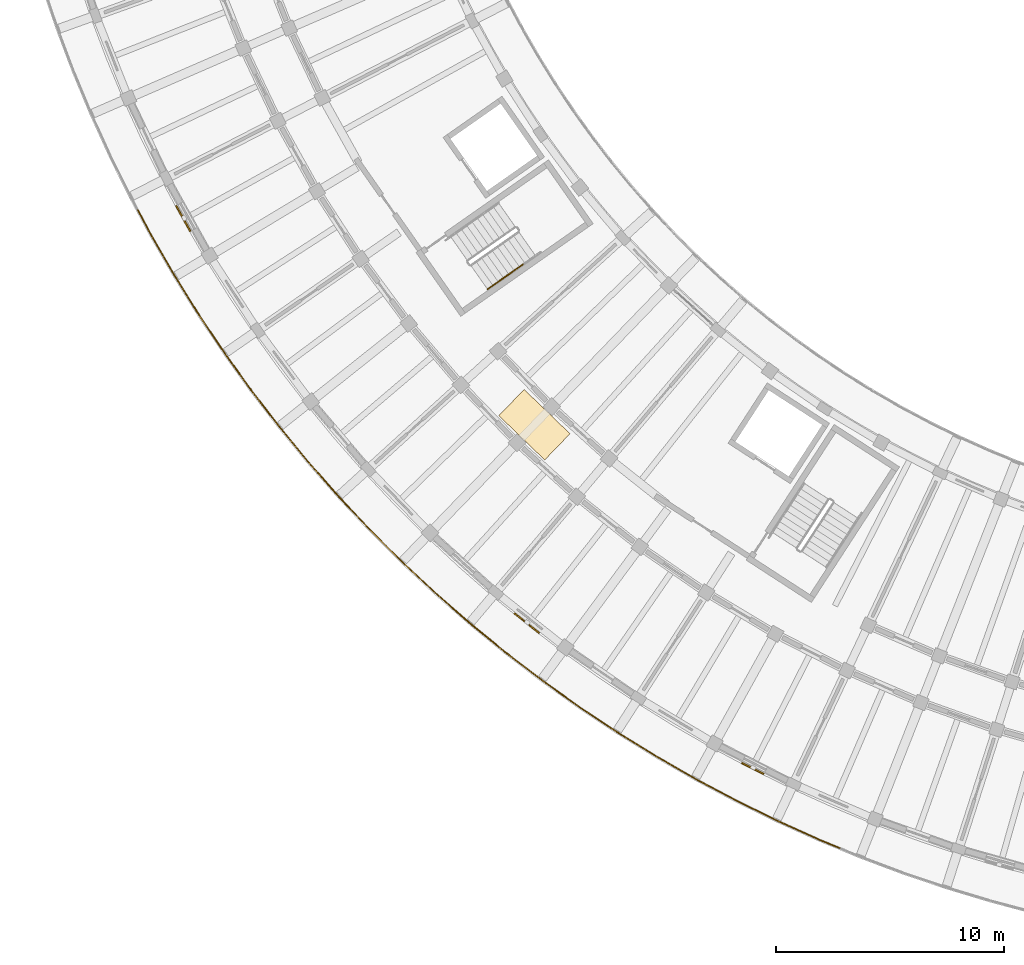
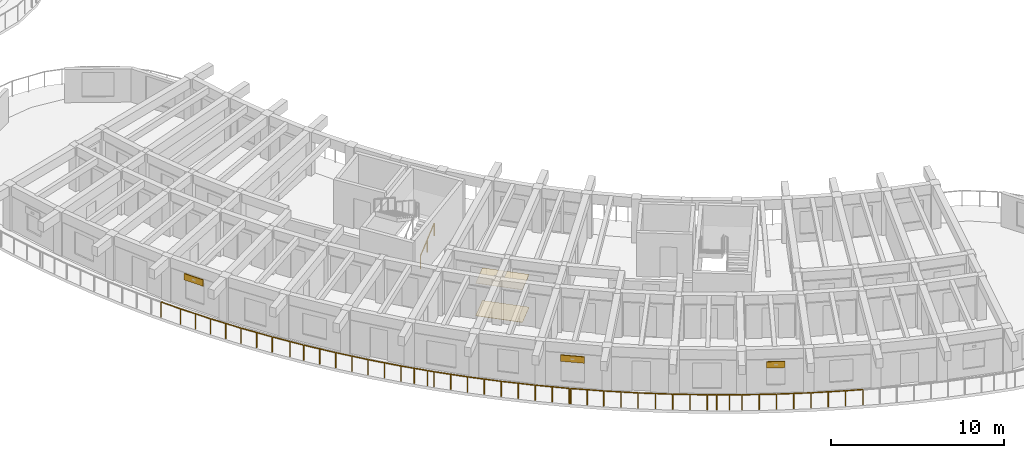
# One storey, part 52 of 69: 7 railings, 3 shading devices, 2 coverings.
"""IFC4 building model written with IfcOpenShell, lengths in metres."""

from ifc_helpers import new_model, si_unit, direction, frame, origin, origin_2d, place, context, subcontext, project, spatial, rectangle, circle, extrude, material, layer, layer_set, type_object, element, save


model = new_model("IFC4")

# Units and contexts
model_context = context("Model", 3, precision=1e-05, world=origin(), true_north=direction((0.0, 1.0)))
body_context = subcontext(model_context, "Body", "Model", "MODEL_VIEW")
ifc_project = project(units=[si_unit("LENGTHUNIT", "METRE"), si_unit("AREAUNIT", "SQUARE_METRE"), si_unit("VOLUMEUNIT", "CUBIC_METRE"), si_unit("PLANEANGLEUNIT", "RADIAN"), si_unit("MASSUNIT", "GRAM", prefix="KILO")], contexts=[model_context])

# Site, building, storey
site_placement = place(None, origin())
site = spatial("IfcSite", under=ifc_project, at=site_placement, CompositionType="ELEMENT")
building_placement = place(site_placement, origin())
building = spatial("IfcBuilding", under=site, at=building_placement, Name="Tanwirah Colonnade Gardens", CompositionType="ELEMENT")
storey_placement = place(building_placement, frame((0.0, 0.0, 15.56005859375)))
storey = spatial("IfcBuildingStorey", under=building, at=storey_placement, Name="L04", CompositionType="ELEMENT", Elevation=15.56005859375)

# Railings
ifc_material_1 = material(Name="Precast concrete C40/50", Category="concrete")
railing_type_1 = type_object("IfcRailingType", Name="BAL-EXT110", PredefinedType="BALUSTRADE", material=ifc_material_1)
railing_1_placement = place(storey_placement, frame((41.62255859375, 7.81982421875, 0.0)))
element("IfcRailing", 1, at=railing_1_placement, inside=storey, type_object=railing_type_1, Name="Block C L04 Balcony Ribbon Balustrade 11", PredefinedType="BALUSTRADE", context=body_context, shape_type="SweptSolid", body=[
    extrude(circle(Radius=0.02392578125, at=origin_2d()), frame((-0.02880859375, 0.011962890625, 1.076171875), z_axis=(-0.924279622952, 0.381716096851, 0.0), x_axis=(-0.381716096851, -0.924279622952, 0.0)), (0.0, 0.0, 1.0), 0.966552734375),
    extrude(circle(Radius=0.02392578125, at=origin_2d()), frame((-0.979736328125, 0.40576171875, 1.076171875), z_axis=(-0.911305810052, 0.411730155035, 0.0), x_axis=(-0.411730155035, -0.911305810052, 0.0)), (0.0, 0.0, 1.0), 1.944091796875),
    extrude(circle(Radius=0.02392578125, at=origin_2d()), frame((-2.807861328125, 1.23291015625, 1.076171875), z_axis=(-0.897352335885, 0.441314836916, 0.0), x_axis=(-0.441314836916, -0.897352335885, 0.0)), (0.0, 0.0, 1.0), 1.944091796875),
    extrude(circle(Radius=0.02392578125, at=origin_2d()), frame((-4.60791015625, 2.119140625, 1.076171875), z_axis=(-0.882416921514, 0.470468252516, 0.0), x_axis=(-0.470468252516, -0.882416921514, 0.0)), (0.0, 0.0, 1.0), 1.944091796875),
    extrude(circle(Radius=0.02392578125, at=origin_2d()), frame((-6.378173828125, 3.064208984375, 1.076171875), z_axis=(-0.866602615509, 0.498998904601, 0.0), x_axis=(-0.498998904601, -0.866602615509, 0.0)), (0.0, 0.0, 1.0), 1.388671875),
    extrude(circle(Radius=0.02099609375, at=origin_2d()), origin(), (0.0, 0.0, 1.0), 1.049072265625),
    extrude(circle(Radius=0.02099609375, at=origin_2d()), frame((-0.951171875, 0.392822265625, 0.0)), (0.0, 0.0, 1.0), 1.049072265625),
    extrude(circle(Radius=0.02099609375, at=origin_2d()), frame((-1.865478515625, 0.805908203125, 0.0)), (0.0, 0.0, 1.0), 1.049072265625),
    extrude(circle(Radius=0.02099609375, at=origin_2d()), frame((-2.77978515625, 1.218994140625, 0.0)), (0.0, 0.0, 1.0), 1.049072265625),
    extrude(circle(Radius=0.02099609375, at=origin_2d()), frame((-3.68017578125, 1.66162109375, 0.0)), (0.0, 0.0, 1.0), 1.049072265625),
    extrude(circle(Radius=0.02099609375, at=origin_2d()), frame((-4.580322265625, 2.1044921875, 0.0)), (0.0, 0.0, 1.0), 1.049072265625),
    extrude(circle(Radius=0.02099609375, at=origin_2d()), frame((-5.4658203125, 2.57666015625, 0.0)), (0.0, 0.0, 1.0), 1.049072265625),
    extrude(circle(Radius=0.02099609375, at=origin_2d()), frame((-6.35107421875, 3.048583984375, 0.0)), (0.0, 0.0, 1.0), 1.049072265625),
    extrude(circle(Radius=0.02099609375, at=origin_2d()), frame((-6.97998046875, 3.41064453125, 0.0)), (0.0, 0.0, 1.0), 1.049072265625),
    extrude(circle(Radius=0.02099609375, at=origin_2d()), frame((-7.608642578125, 3.772705078125, 0.0)), (0.0, 0.0, 1.0), 1.049072265625),
])
railing_2_placement = place(storey_placement, frame((34.013916015625, 11.592529296875, 0.0)))
element("IfcRailing", 2, at=railing_2_placement, inside=storey, type_object=railing_type_1, Name="Block C L04 Balcony Ribbon Balustrade 12", PredefinedType="BALUSTRADE", context=body_context, shape_type="SweptSolid", body=[
    extrude(circle(Radius=0.02392578125, at=origin_2d()), frame((-0.027099609375, 0.015625, 1.076171875), z_axis=(-0.866587887703, 0.49902448125, 0.0), x_axis=(-0.49902448125, -0.866587887703, 0.0)), (0.0, 0.0, 1.0), 0.49267578125),
    extrude(circle(Radius=0.02392578125, at=origin_2d()), frame((-0.5078125, 0.293701171875, 1.076171875), z_axis=(-0.84977735452, 0.527141771959, 0.0), x_axis=(-0.527141771959, -0.84977735452, 0.0)), (0.0, 0.0, 1.0), 1.9443359375),
    extrude(circle(Radius=0.02392578125, at=origin_2d()), frame((-2.212646484375, 1.352294921875, 1.076171875), z_axis=(-0.832069011603, 0.554672119301, 0.0), x_axis=(-0.554672119301, -0.832069011603, 0.0)), (0.0, 0.0, 1.0), 1.944091796875),
    extrude(circle(Radius=0.02392578125, at=origin_2d()), frame((-3.881591796875, 2.466064453125, 1.076171875), z_axis=(-0.813486769226, 0.581583421612, 0.0), x_axis=(-0.581583421612, -0.813486769226, 0.0)), (0.0, 0.0, 1.0), 1.944091796875),
    extrude(circle(Radius=0.02392578125, at=origin_2d()), frame((-5.513427734375, 3.634033203125, 1.076171875), z_axis=(-0.794008424843, 0.60790675377, 0.0), x_axis=(-0.60790675377, -0.794008424843, 0.0)), (0.0, 0.0, 1.0), 1.862060546875),
    extrude(circle(Radius=0.02099609375, at=origin_2d()), origin(), (0.0, 0.0, 1.0), 1.049072265625),
    extrude(circle(Radius=0.02099609375, at=origin_2d()), frame((-0.481201171875, 0.277099609375, 0.0)), (0.0, 0.0, 1.0), 1.049072265625),
    extrude(circle(Radius=0.02099609375, at=origin_2d()), frame((-1.333984375, 0.80615234375, 0.0)), (0.0, 0.0, 1.0), 1.049072265625),
    extrude(circle(Radius=0.02099609375, at=origin_2d()), frame((-2.1865234375, 1.3349609375, 0.0)), (0.0, 0.0, 1.0), 1.049072265625),
    extrude(circle(Radius=0.02099609375, at=origin_2d()), frame((-3.021484375, 1.8916015625, 0.0)), (0.0, 0.0, 1.0), 1.049072265625),
    extrude(circle(Radius=0.02099609375, at=origin_2d()), frame((-3.856201171875, 2.447998046875, 0.0)), (0.0, 0.0, 1.0), 1.049072265625),
    extrude(circle(Radius=0.02099609375, at=origin_2d()), frame((-4.67236328125, 3.031494140625, 0.0)), (0.0, 0.0, 1.0), 1.049072265625),
    extrude(circle(Radius=0.02099609375, at=origin_2d()), frame((-5.488525390625, 3.614990234375, 0.0)), (0.0, 0.0, 1.0), 1.049072265625),
    extrude(circle(Radius=0.02099609375, at=origin_2d()), frame((-6.25244140625, 4.199951171875, 0.0)), (0.0, 0.0, 1.0), 1.049072265625),
    extrude(circle(Radius=0.02099609375, at=origin_2d()), frame((-7.0166015625, 4.784912109375, 0.0)), (0.0, 0.0, 1.0), 1.049072265625),
])
railing_3_placement = place(storey_placement, frame((26.997314453125, 16.37744140625, 0.0)))
element("IfcRailing", 3, at=railing_3_placement, inside=storey, type_object=railing_type_1, Name="Block C L04 Balcony Ribbon Balustrade 13", PredefinedType="BALUSTRADE", context=body_context, shape_type="SweptSolid", body=[
    extrude(circle(Radius=0.02392578125, at=origin_2d()), frame((-0.02490234375, 0.01904296875, 1.076171875), z_axis=(-0.794611184815, 0.607118658061, 0.0), x_axis=(-0.607118658061, -0.794611184815, 0.0)), (0.0, 0.0, 1.0), 0.01953125),
    extrude(circle(Radius=0.02392578125, at=origin_2d()), frame((-0.08935546875, 0.069580078125, 1.076171875), z_axis=(-0.773707873236, 0.633542521771, 0.0), x_axis=(-0.633542521771, -0.773707873236, 0.0)), (0.0, 0.0, 1.0), 1.944091796875),
    extrude(circle(Radius=0.02392578125, at=origin_2d()), frame((-1.64111328125, 1.341552734375, 1.076171875), z_axis=(-0.752508858808, 0.658582126553, 0.0), x_axis=(-0.658582126553, -0.752508858808, 0.0)), (0.0, 0.0, 1.0), 1.944091796875),
    extrude(circle(Radius=0.02392578125, at=origin_2d()), frame((-3.150634765625, 2.663818359375, 1.076171875), z_axis=(-0.730610060212, 0.682794947196, 0.0), x_axis=(-0.682794947196, -0.730610060212, 0.0)), (0.0, 0.0, 1.0), 1.944091796875),
    extrude(circle(Radius=0.02392578125, at=origin_2d()), frame((-4.615966796875, 4.03466796875, 1.076171875), z_axis=(-0.707897217537, 0.706315460261, 0.0), x_axis=(-0.706315460261, -0.707897217537, 0.0)), (0.0, 0.0, 1.0), 1.944091796875),
    extrude(circle(Radius=0.02392578125, at=origin_2d()), frame((-6.03564453125, 5.45263671875, 1.076171875), z_axis=(-0.684314204169, 0.729187266738, 0.0), x_axis=(-0.729187266738, -0.684314204169, 0.0)), (0.0, 0.0, 1.0), 0.3291015625),
    extrude(circle(Radius=0.02099609375, at=origin_2d()), origin(), (0.0, 0.0, 1.0), 1.049072265625),
    extrude(circle(Radius=0.02099609375, at=origin_2d()), frame((-0.065185546875, 0.0498046875, 0.0)), (0.0, 0.0, 1.0), 1.049072265625),
    extrude(circle(Radius=0.02099609375, at=origin_2d()), frame((-0.84130859375, 0.685546875, 0.0)), (0.0, 0.0, 1.0), 1.049072265625),
    extrude(circle(Radius=0.02099609375, at=origin_2d()), frame((-1.61767578125, 1.321044921875, 0.0)), (0.0, 0.0, 1.0), 1.049072265625),
    extrude(circle(Radius=0.02099609375, at=origin_2d()), frame((-2.37255859375, 1.98193359375, 0.0)), (0.0, 0.0, 1.0), 1.049072265625),
    extrude(circle(Radius=0.02099609375, at=origin_2d()), frame((-3.127685546875, 2.642578125, 0.0)), (0.0, 0.0, 1.0), 1.049072265625),
    extrude(circle(Radius=0.02099609375, at=origin_2d()), frame((-3.86083984375, 3.32763671875, 0.0)), (0.0, 0.0, 1.0), 1.049072265625),
    extrude(circle(Radius=0.02099609375, at=origin_2d()), frame((-4.59375, 4.0126953125, 0.0)), (0.0, 0.0, 1.0), 1.049072265625),
    extrude(circle(Radius=0.02099609375, at=origin_2d()), frame((-5.303955078125, 4.72119140625, 0.0)), (0.0, 0.0, 1.0), 1.049072265625),
    extrude(circle(Radius=0.02099609375, at=origin_2d()), frame((-6.01416015625, 5.429931640625, 0.0)), (0.0, 0.0, 1.0), 1.049072265625),
    extrude(circle(Radius=0.02099609375, at=origin_2d()), frame((-6.2822265625, 5.715576171875, 0.0)), (0.0, 0.0, 1.0), 1.049072265625),
])
railing_4_placement = place(storey_placement, frame((20.715087890625, 22.093017578125, 0.0)))
element("IfcRailing", 4, at=railing_4_placement, inside=storey, type_object=railing_type_1, Name="Block C L04 Balcony Ribbon Balustrade 14", PredefinedType="BALUSTRADE", context=body_context, shape_type="SweptSolid", body=[
    extrude(circle(Radius=0.02392578125, at=origin_2d()), frame((-0.021484375, 0.022705078125, 1.076171875), z_axis=(-0.68437850788, 0.729126914845, 0.0), x_axis=(-0.729126914845, -0.68437850788, 0.0)), (0.0, 0.0, 1.0), 1.552490234375),
    extrude(circle(Radius=0.02392578125, at=origin_2d()), frame((-1.1259765625, 1.200927734375, 1.076171875), z_axis=(-0.660199900943, 0.751089935224, 0.0), x_axis=(-0.751089935224, -0.660199900943, 0.0)), (0.0, 0.0, 1.0), 1.944091796875),
    extrude(circle(Radius=0.02392578125, at=origin_2d()), frame((-2.44970703125, 2.708740234375, 1.076171875), z_axis=(-0.635216698846, 0.77233395983, 0.0), x_axis=(-0.77233395983, -0.635216698846, 0.0)), (0.0, 0.0, 1.0), 1.944091796875),
    extrude(circle(Radius=0.02392578125, at=origin_2d()), frame((-3.7236328125, 4.259033203125, 1.076171875), z_axis=(-0.609669601555, 0.7926556484, 0.0), x_axis=(-0.7926556484, -0.609669601555, 0.0)), (0.0, 0.0, 1.0), 1.944091796875),
    extrude(circle(Radius=0.02392578125, at=origin_2d()), frame((-4.9462890625, 5.850341796875, 1.076171875), z_axis=(-0.583211557047, 0.812320306115, 0.0), x_axis=(-0.812320306115, -0.583211557047, 0.0)), (0.0, 0.0, 1.0), 0.802734375),
    extrude(circle(Radius=0.02099609375, at=origin_2d()), origin(), (0.0, 0.0, 1.0), 1.049072265625),
    extrude(circle(Radius=0.02099609375, at=origin_2d()), frame((-0.552734375, 0.5888671875, 0.0)), (0.0, 0.0, 1.0), 1.049072265625),
    extrude(circle(Radius=0.02099609375, at=origin_2d()), frame((-1.105224609375, 1.177490234375, 0.0)), (0.0, 0.0, 1.0), 1.049072265625),
    extrude(circle(Radius=0.02099609375, at=origin_2d()), frame((-1.767578125, 1.93115234375, 0.0)), (0.0, 0.0, 1.0), 1.049072265625),
    extrude(circle(Radius=0.02099609375, at=origin_2d()), frame((-2.429931640625, 2.6845703125, 0.0)), (0.0, 0.0, 1.0), 1.049072265625),
    extrude(circle(Radius=0.02099609375, at=origin_2d()), frame((-3.0673828125, 3.45947265625, 0.0)), (0.0, 0.0, 1.0), 1.049072265625),
    extrude(circle(Radius=0.02099609375, at=origin_2d()), frame((-3.70458984375, 4.234375, 0.0)), (0.0, 0.0, 1.0), 1.049072265625),
    extrude(circle(Radius=0.02099609375, at=origin_2d()), frame((-4.31640625, 5.02978515625, 0.0)), (0.0, 0.0, 1.0), 1.049072265625),
    extrude(circle(Radius=0.02099609375, at=origin_2d()), frame((-4.927978515625, 5.824951171875, 0.0)), (0.0, 0.0, 1.0), 1.049072265625),
    extrude(circle(Radius=0.02099609375, at=origin_2d()), frame((-5.4326171875, 6.52783203125, 0.0)), (0.0, 0.0, 1.0), 1.049072265625),
])
railing_5_placement = place(storey_placement, frame((15.282470703125, 28.620849609375, 0.0)))
element("IfcRailing", 5, at=railing_5_placement, inside=storey, type_object=railing_type_1, Name="Block C L04 Balcony Ribbon Balustrade 15", PredefinedType="BALUSTRADE", context=body_context, shape_type="SweptSolid", body=[
    extrude(circle(Radius=0.02392578125, at=origin_2d()), frame((-0.018310546875, 0.025390625, 1.076171875), z_axis=(-0.583340691187, 0.812227577718, 0.0), x_axis=(-0.812227577718, -0.583340691187, 0.0)), (0.0, 0.0, 1.0), 1.078857421875),
    extrude(circle(Radius=0.02392578125, at=origin_2d()), frame((-0.68310546875, 0.952880859375, 1.076171875), z_axis=(-0.556495801451, 0.830850421537, 0.0), x_axis=(-0.830850421537, -0.556495801451, 0.0)), (0.0, 0.0, 1.0), 1.944091796875),
    extrude(circle(Radius=0.02392578125, at=origin_2d()), frame((-1.799072265625, 2.620849609375, 1.076171875), z_axis=(-0.529003375217, 0.848619719903, 0.0), x_axis=(-0.848619719903, -0.529003375217, 0.0)), (0.0, 0.0, 1.0), 1.944091796875),
    extrude(circle(Radius=0.02392578125, at=origin_2d()), frame((-2.859619140625, 4.32421875, 1.076171875), z_axis=(-0.500940340279, 0.865481816956, 0.0), x_axis=(-0.865481816956, -0.500940340279, 0.0)), (0.0, 0.0, 1.0), 1.94384765625),
    extrude(circle(Radius=0.02392578125, at=origin_2d()), frame((-3.86376953125, 6.061279296875, 1.076171875), z_axis=(-0.472413668616, 0.881376948703, 0.0), x_axis=(-0.881376948703, -0.472413668616, 0.0)), (0.0, 0.0, 1.0), 1.2763671875),
    extrude(circle(Radius=0.02099609375, at=origin_2d()), origin(), (0.0, 0.0, 1.0), 1.049072265625),
    extrude(circle(Radius=0.02099609375, at=origin_2d()), frame((-0.665771484375, 0.927001953125, 0.0)), (0.0, 0.0, 1.0), 1.049072265625),
    extrude(circle(Radius=0.02099609375, at=origin_2d()), frame((-1.22412109375, 1.7607421875, 0.0)), (0.0, 0.0, 1.0), 1.049072265625),
    extrude(circle(Radius=0.02099609375, at=origin_2d()), frame((-1.782470703125, 2.59423828125, 0.0)), (0.0, 0.0, 1.0), 1.049072265625),
    extrude(circle(Radius=0.02099609375, at=origin_2d()), frame((-2.313232421875, 3.44580078125, 0.0)), (0.0, 0.0, 1.0), 1.049072265625),
    extrude(circle(Radius=0.02099609375, at=origin_2d()), frame((-2.843994140625, 4.297119140625, 0.0)), (0.0, 0.0, 1.0), 1.049072265625),
    extrude(circle(Radius=0.02099609375, at=origin_2d()), frame((-3.3466796875, 5.16552734375, 0.0)), (0.0, 0.0, 1.0), 1.049072265625),
    extrude(circle(Radius=0.02099609375, at=origin_2d()), frame((-3.84912109375, 6.03369140625, 0.0)), (0.0, 0.0, 1.0), 1.049072265625),
    extrude(circle(Radius=0.02099609375, at=origin_2d()), frame((-4.481689453125, 7.2138671875, 0.0)), (0.0, 0.0, 1.0), 1.049072265625),
])

# Coverings
ifc_material_2 = material(Name="Acoustic perforated gypsum ceiling board")
ifc_layer_1 = layer(ifc_material_2, 0.014892578125)
ifc_layer_set_1 = layer_set([ifc_layer_1], Name="Acoustic perforated gypsum ceiling board")
covering_type_1 = type_object("IfcCoveringType", Name="COV-CEIL15", PredefinedType="CEILING", material=ifc_layer_set_1)
covering_1_placement = place(storey_placement, frame((28.2177734375, 26.410888671875, 2.3125), z_axis=(0.0, 0.0, 1.0), x_axis=(0.719339800339, -0.694658370459, 0.0)))
element("IfcCovering", 6, at=covering_1_placement, inside=storey, type_object=covering_type_1, Name="Block C L04 Corridor Acoustic Ceiling", PredefinedType="CEILING", context=body_context, shape_type="SweptSolid", body=[
    extrude(rectangle(XDim=2.800048828125, YDim=1.60009765625, at=origin_2d()), origin(), (0.0, 0.0, 1.0), 0.014892578125),
])
ifc_material_3 = material(Name="Honed Abu Dhabi limestone terrazzo flooring", Category="masonry")
ifc_layer_2 = layer(ifc_material_3, 0.02001953125)
ifc_layer_set_2 = layer_set([ifc_layer_2], Name="Honed Abu Dhabi limestone terrazzo flooring")
covering_type_2 = type_object("IfcCoveringType", Name="COV-FLR20", PredefinedType="FLOORING", material=ifc_layer_set_2)
covering_2_placement = place(storey_placement, frame((28.2177734375, 26.410888671875, 0.0), z_axis=(0.0, 0.0, 1.0), x_axis=(0.719339800339, -0.694658370459, 0.0)))
element("IfcCovering", 7, at=covering_2_placement, inside=storey, type_object=covering_type_2, Name="Block C L04 Corridor Terrazzo Flooring", PredefinedType="FLOORING", context=body_context, shape_type="SweptSolid", body=[
    extrude(rectangle(XDim=2.800048828125, YDim=1.60009765625, at=origin_2d()), origin(), (0.0, 0.0, 1.0), 0.02001953125),
])

# Railings
ifc_material_4 = material(Name="Brushed bronze stainless steel", Category="steel")
railing_type_2 = type_object("IfcRailingType", Name="HR-ST090", PredefinedType="HANDRAIL", material=ifc_material_4)
railing_6_placement = place(storey_placement, frame((26.16064453125, 32.360107421875, 0.16796875)))
element("IfcRailing", 8, at=railing_6_placement, inside=storey, type_object=railing_type_2, Name="L04 ST-C1 stair handrail 1", PredefinedType="HANDRAIL", context=body_context, shape_type="SweptSolid", body=[
    extrude(circle(Radius=0.02392578125, at=origin_2d()), frame((0.02197265625, 0.015380859375, 0.891845703125), z_axis=(0.703686044561, 0.492823109966, 0.511811814023), x_axis=(-0.57365206981, 0.819099079967, 0.0)), (0.0, 0.0, 1.0), 1.043212890625),
    extrude(circle(Radius=0.02099609375, at=origin_2d()), origin(), (0.0, 0.0, 1.0), 0.848876953125),
    extrude(circle(Radius=0.02099609375, at=origin_2d()), frame((0.778076171875, 0.544921875, 0.56591796875)), (0.0, 0.0, 1.0), 0.848876953125),
])
railing_7_placement = place(storey_placement, frame((26.938720703125, 32.905029296875, 0.73388671875)))
element("IfcRailing", 9, at=railing_7_placement, inside=storey, type_object=railing_type_2, Name="L04 ST-C1 stair handrail 2", PredefinedType="HANDRAIL", context=body_context, shape_type="SweptSolid", body=[
    extrude(circle(Radius=0.02392578125, at=origin_2d()), frame((0.02197265625, 0.015380859375, 0.891845703125), z_axis=(0.703717970253, 0.492690875033, 0.511895223656), x_axis=(-0.573531324472, 0.819183630115, 0.0)), (0.0, 0.0, 1.0), 1.04345703125),
    extrude(circle(Radius=0.02099609375, at=origin_2d()), origin(), (0.0, 0.0, 1.0), 0.848876953125),
    extrude(circle(Radius=0.02099609375, at=origin_2d()), frame((0.7783203125, 0.544921875, 0.566162109375)), (0.0, 0.0, 1.0), 0.848876953125),
])

# Shading devices
ifc_material_5 = material(Name="Perforated architectural bronze aluminium", Category="aluminium")
ifc_layer_3 = layer(ifc_material_5, 0.050048828125)
ifc_layer_set_3 = layer_set([ifc_layer_3], Name="Perforated architectural bronze aluminium")
shading_device_type = type_object("IfcShadingDeviceType", Name="SHD-OVH1", PredefinedType="SHUTTER", material=ifc_layer_set_3)
shading_device_1_placement = place(storey_placement, frame((12.79541015625, 35.465087890625, 1.94482421875), z_axis=(0.0, 0.0, 1.0), x_axis=(0.486717384336, -0.873559492985, 0.0)))
element("IfcShadingDevice", 10, at=shading_device_1_placement, inside=storey, type_object=shading_device_type, Name="Solar shading louver hood C-L04-03", PredefinedType="SHUTTER", context=body_context, shape_type="SweptSolid", body=[
    extrude(rectangle(XDim=1.280029296875, YDim=0.06005859375, at=origin_2d()), origin(), (0.0, 0.0, 1.0), 0.449951171875),
])
shading_device_2_placement = place(storey_placement, frame((27.880615234375, 17.697265625, 1.8349609375), z_axis=(0.0, 0.0, 1.0), x_axis=(0.783964634348, -0.620805486519, 0.0)))
element("IfcShadingDevice", 11, at=shading_device_2_placement, inside=storey, type_object=shading_device_type, Name="Solar shading louver hood C-L04-09", PredefinedType="SHUTTER", context=body_context, shape_type="SweptSolid", body=[
    extrude(rectangle(XDim=1.39990234375, YDim=0.06005859375, at=origin_2d()), origin(), (0.0, 0.0, 1.0), 0.449951171875),
])
shading_device_3_placement = place(storey_placement, frame((37.8046875, 11.31396484375, 1.8349609375), z_axis=(0.0, 0.0, 1.0), x_axis=(0.890014924435, -0.455931392078, 0.0)))
element("IfcShadingDevice", 12, at=shading_device_3_placement, inside=storey, type_object=shading_device_type, Name="Solar shading louver hood C-L04-12", PredefinedType="SHUTTER", context=body_context, shape_type="SweptSolid", body=[
    extrude(rectangle(XDim=1.080078125, YDim=0.06005859375, at=origin_2d()), origin(), (0.0, 0.0, 1.0), 0.449951171875),
])

save(model, "model.ifc")
